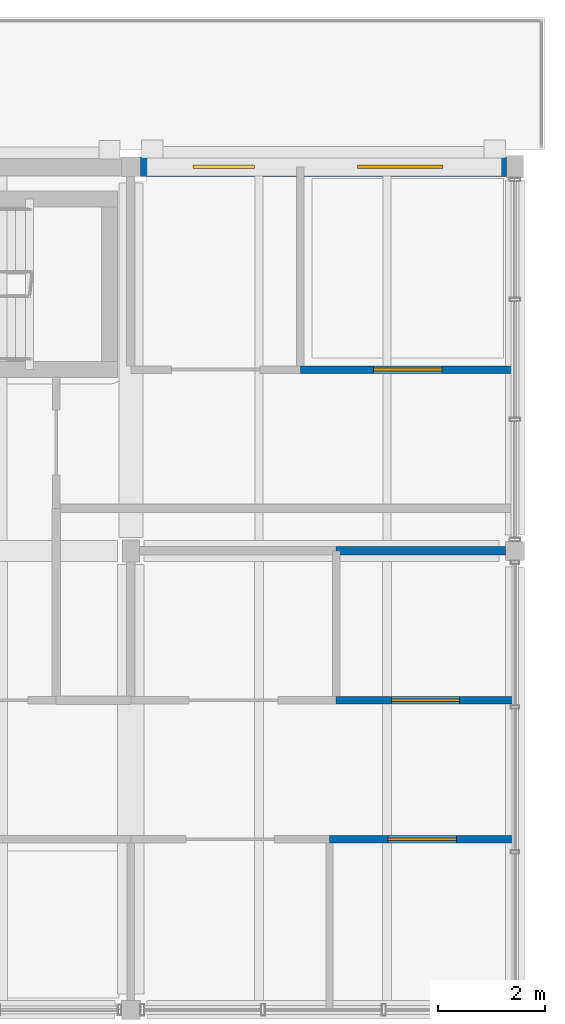
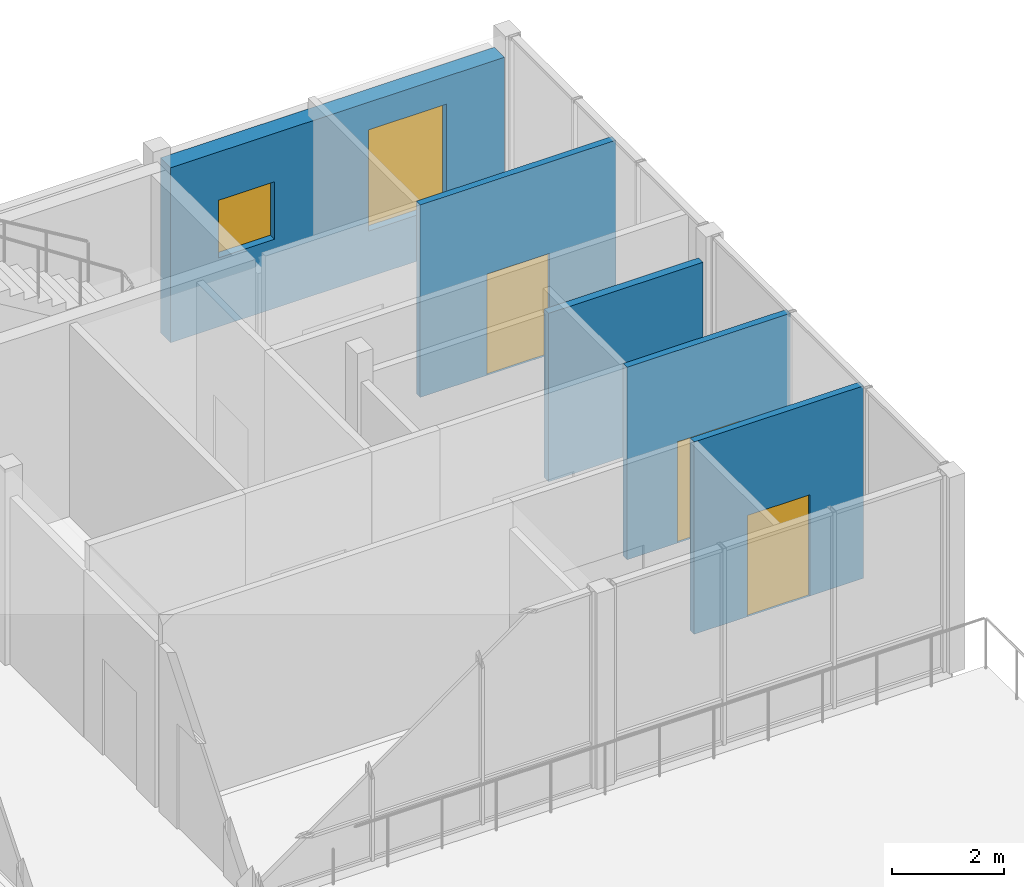
# One storey, part 123 of 146: 5 walls, 3 doors, 2 windows, 5 openings.
"""IFC4 building model written with IfcOpenShell, lengths in metres."""

from ifc_helpers import new_model, si_unit, direction, frame, frame_2d, origin, place, context, subcontext, project, spatial, rectangle, extrude, material, layer, layer_set, type_object, element, fill, save


model = new_model("IFC4")

# Units and contexts
model_context = context("Model", 3, precision=1e-05, world=origin(), true_north=direction((0.0, 1.0)))
body_context = subcontext(model_context, "Body", "Model", "MODEL_VIEW")
ifc_project = project(units=[si_unit("LENGTHUNIT", "METRE"), si_unit("AREAUNIT", "SQUARE_METRE"), si_unit("VOLUMEUNIT", "CUBIC_METRE"), si_unit("PLANEANGLEUNIT", "RADIAN"), si_unit("MASSUNIT", "GRAM", prefix="KILO")], contexts=[model_context])

# Site, building, storey
site_placement = place(None, origin())
site = spatial("IfcSite", under=ifc_project, at=site_placement, CompositionType="ELEMENT")
building_placement = place(site_placement, origin())
building = spatial("IfcBuilding", under=site, at=building_placement, Name="Hawrajan Terrace Health Centre", CompositionType="ELEMENT")
storey_placement = place(building_placement, frame((0.0, 0.0, 4.5)))
storey = spatial("IfcBuildingStorey", under=building, at=storey_placement, Name="L01", CompositionType="ELEMENT", Elevation=4.5)

# Wall, opening, door
ifc_material_1 = material(Name="Gypsum board on acoustic stud framing")
ifc_layer_1 = layer(ifc_material_1, 0.139892578125)
ifc_layer_set_1 = layer_set([ifc_layer_1], Name="Gypsum board on acoustic stud framing")
wall_type_1 = type_object("IfcWallType", Name="ClinicalAcousticWall_140", PredefinedType="PARTITIONING", material=ifc_layer_set_1)
wall_1_placement = place(storey_placement, frame((161.375, 48.800048828125, 0.0), z_axis=(0.0, 0.0, 1.0), x_axis=(1.0, 0.0, 0.0)))
wall_1 = element("IfcWall", 1, at=wall_1_placement, inside=storey, type_object=wall_type_1, Name="Interior wall IW-L01-0836", PredefinedType="PARTITIONING", context=body_context, shape_type="SweptSolid", body=[
    extrude(rectangle(XDim=4.02490234375, YDim=0.139892578125, at=frame_2d((2.012451171875, 0.0))), origin(), (0.0, 0.0, 1.0), 4.179931640625),
])
opening_1_placement = place(wall_1_placement, frame((1.37255859375, 0.0, 0.0)))
opening_1 = element("IfcOpeningElement", 2, at=opening_1_placement, cuts=wall_1, Name="Opening D-L01-429", PredefinedType="OPENING", context=body_context, shape_type="SweptSolid", body=[
    extrude(rectangle(XDim=1.280029296875, YDim=2.199951171875, at=frame_2d((0.64013671875, 1.10009765625))), frame((0.0, 0.079833984375, 0.0), z_axis=(0.0, -1.0, 0.0), x_axis=(1.0, 0.0, 0.0)), (0.0, 0.0, 1.0), 0.159912109375),
])
ifc_material_2 = material(Name="Hardwood acoustic clinical door leaf and frame", Category="wood")
door_type = type_object("IfcDoorType", Name="ExamSuiteDoor_1280x2200", OperationType="NOTDEFINED", PredefinedType="DOOR", material=ifc_material_2)
door_1_placement = place(opening_1_placement, origin())
door_1 = element("IfcDoor", 3, at=door_1_placement, inside=storey, type_object=door_type, Name="Interior door D-L01-429", OperationType="SINGLE_SWING_LEFT", OverallHeight=2.199951171875, OverallWidth=1.280029296875, PredefinedType="DOOR", context=body_context, shape_type="SweptSolid", body=[
    extrude(rectangle(XDim=1.280029296875, YDim=2.199951171875, at=frame_2d((0.64013671875, 1.10009765625))), frame((0.0, 0.02490234375, 0.0), z_axis=(0.0, -1.0, 0.0), x_axis=(1.0, 0.0, 0.0)), (0.0, 0.0, 1.0), 0.050048828125),
])
fill(opening_1, door_1)

wall_2_placement = place(storey_placement, frame((161.922119140625, 40.0, 0.0), z_axis=(0.0, 0.0, 1.0), x_axis=(1.0, 0.0, 0.0)))
wall_2 = element("IfcWall", 4, at=wall_2_placement, inside=storey, type_object=wall_type_1, Name="Interior wall IW-L01-0838", PredefinedType="PARTITIONING", context=body_context, shape_type="SweptSolid", body=[
    extrude(rectangle(XDim=3.477783203125, YDim=0.139892578125, at=frame_2d((1.73876953125, 0.0))), origin(), (0.0, 0.0, 1.0), 4.179931640625),
])
opening_2_placement = place(wall_2_placement, frame((1.09912109375, 0.0, 0.0)))
opening_2 = element("IfcOpeningElement", 5, at=opening_2_placement, cuts=wall_2, Name="Opening D-L01-425", PredefinedType="OPENING", context=body_context, shape_type="SweptSolid", body=[
    extrude(rectangle(XDim=1.280029296875, YDim=2.199951171875, at=frame_2d((0.64013671875, 1.10009765625))), frame((0.0, 0.079833984375, 0.0), z_axis=(0.0, -1.0, 0.0), x_axis=(1.0, 0.0, 0.0)), (0.0, 0.0, 1.0), 0.159912109375),
])
door_2_placement = place(opening_2_placement, origin())
door_2 = element("IfcDoor", 6, at=door_2_placement, inside=storey, type_object=door_type, Name="Interior door D-L01-425", OperationType="SINGLE_SWING_LEFT", OverallHeight=2.199951171875, OverallWidth=1.280029296875, PredefinedType="DOOR", context=body_context, shape_type="SweptSolid", body=[
    extrude(rectangle(XDim=1.280029296875, YDim=2.199951171875, at=frame_2d((0.64013671875, 1.10009765625))), frame((0.0, 0.02490234375, 0.0), z_axis=(0.0, -1.0, 0.0), x_axis=(1.0, 0.0, 0.0)), (0.0, 0.0, 1.0), 0.050048828125),
])
fill(opening_2, door_2)

wall_3_placement = place(storey_placement, frame((162.044921875, 42.60009765625, 0.0), z_axis=(0.0, 0.0, 1.0), x_axis=(1.0, 0.0, 0.0)))
wall_3 = element("IfcWall", 7, at=wall_3_placement, inside=storey, type_object=wall_type_1, Name="Interior wall IW-L01-0840", PredefinedType="PARTITIONING", context=body_context, shape_type="SweptSolid", body=[
    extrude(rectangle(XDim=3.35498046875, YDim=0.139892578125, at=frame_2d((1.677490234375, 0.0))), origin(), (0.0, 0.0, 1.0), 4.179931640625),
])
opening_3_placement = place(wall_3_placement, frame((1.03759765625, 0.0, 0.0)))
opening_3 = element("IfcOpeningElement", 8, at=opening_3_placement, cuts=wall_3, Name="Opening D-L01-427", PredefinedType="OPENING", context=body_context, shape_type="SweptSolid", body=[
    extrude(rectangle(XDim=1.280029296875, YDim=2.199951171875, at=frame_2d((0.64013671875, 1.10009765625))), frame((0.0, 0.079833984375, 0.0), z_axis=(0.0, -1.0, 0.0), x_axis=(1.0, 0.0, 0.0)), (0.0, 0.0, 1.0), 0.159912109375),
])
door_3_placement = place(opening_3_placement, origin())
door_3 = element("IfcDoor", 9, at=door_3_placement, inside=storey, type_object=door_type, Name="Interior door D-L01-427", OperationType="SINGLE_SWING_LEFT", OverallHeight=2.199951171875, OverallWidth=1.280029296875, PredefinedType="DOOR", context=body_context, shape_type="SweptSolid", body=[
    extrude(rectangle(XDim=1.280029296875, YDim=2.199951171875, at=frame_2d((0.64013671875, 1.10009765625))), frame((0.0, 0.02490234375, 0.0), z_axis=(0.0, -1.0, 0.0), x_axis=(1.0, 0.0, 0.0)), (0.0, 0.0, 1.0), 0.050048828125),
])
fill(opening_3, door_3)

# Wall, openings, windows
ifc_material_3 = material(Name="Precast concrete C40/50", Category="concrete")
ifc_layer_2 = layer(ifc_material_3, 0.360107421875)
ifc_layer_set_2 = layer_set([ifc_layer_2], Name="Precast concrete C40/50")
wall_type_2 = type_object("IfcWallType", Name="CoralPodiumWall_360", PredefinedType="SOLIDWALL", material=ifc_layer_set_2)
wall_4_placement = place(storey_placement, frame((158.3798828125, 52.60009765625, 0.0), z_axis=(0.0, 0.0, 1.0), x_axis=(1.0, 0.0, 0.0)))
wall_4 = element("IfcWall", 10, at=wall_4_placement, inside=storey, type_object=wall_type_2, Name="Exterior wall EW-L01-H20-06-1", PredefinedType="SOLIDWALL", context=body_context, shape_type="SweptSolid", body=[
    extrude(rectangle(XDim=6.860107421875, YDim=0.360107421875, at=frame_2d((3.43017578125, 0.0))), origin(), (0.0, 0.0, 1.0), 3.800048828125),
])
opening_4_placement = place(wall_4_placement, frame((0.982666015625, 0.0, 1.5)))
opening_4 = element("IfcOpeningElement", 11, at=opening_4_placement, cuts=wall_4, Name="Opening W-L01-108", PredefinedType="OPENING", context=body_context, shape_type="SweptSolid", body=[
    extrude(rectangle(XDim=1.14990234375, YDim=1.25, at=frame_2d((0.574951171875, 0.625))), frame((0.0, 0.18994140625, 0.0), z_axis=(0.0, -1.0, 0.0), x_axis=(1.0, 0.0, 0.0)), (0.0, 0.0, 1.0), 0.380126953125),
])
opening_5_placement = place(wall_4_placement, frame((4.067626953125, 0.0, 1.0)))
opening_5 = element("IfcOpeningElement", 12, at=opening_5_placement, cuts=wall_4, Name="Opening W-L01-109", PredefinedType="OPENING", context=body_context, shape_type="SweptSolid", body=[
    extrude(rectangle(XDim=1.60009765625, YDim=2.199951171875, at=frame_2d((0.800048828125, 1.10009765625))), frame((0.0, 0.18994140625, 0.0), z_axis=(0.0, -1.0, 0.0), x_axis=(1.0, 0.0, 0.0)), (0.0, 0.0, 1.0), 0.380126953125),
])
ifc_material_4 = material(Name="Anodized bronze frame with double low-E glazing", Category="glass")
window_type_1 = type_object("IfcWindowType", Name="FacadeWindow_1150x1250", PartitioningType="SINGLE_PANEL", PredefinedType="WINDOW", material=ifc_material_4)
window_1_placement = place(opening_4_placement, origin())
window_1 = element("IfcWindow", 13, at=window_1_placement, inside=storey, type_object=window_type_1, Name="Window W-L01-108", OverallHeight=1.25, OverallWidth=1.14990234375, PartitioningType="SINGLE_PANEL", PredefinedType="WINDOW", context=body_context, shape_type="SweptSolid", body=[
    extrude(rectangle(XDim=1.14990234375, YDim=1.25, at=frame_2d((0.574951171875, 0.625))), frame((0.0, 0.030029296875, 0.0), z_axis=(0.0, -1.0, 0.0), x_axis=(1.0, 0.0, 0.0)), (0.0, 0.0, 1.0), 0.06005859375),
])
fill(opening_4, window_1)
window_type_2 = type_object("IfcWindowType", Name="FacadeWindow_1600x2200", PartitioningType="DOUBLE_PANEL_VERTICAL", PredefinedType="WINDOW", material=ifc_material_4)
window_2_placement = place(opening_5_placement, origin())
window_2 = element("IfcWindow", 14, at=window_2_placement, inside=storey, type_object=window_type_2, Name="Window W-L01-109", OverallHeight=2.199951171875, OverallWidth=1.60009765625, PartitioningType="DOUBLE_PANEL_VERTICAL", PredefinedType="WINDOW", context=body_context, shape_type="SweptSolid", body=[
    extrude(rectangle(XDim=1.60009765625, YDim=2.199951171875, at=frame_2d((0.800048828125, 1.10009765625))), frame((0.0, 0.030029296875, 0.0), z_axis=(0.0, -1.0, 0.0), x_axis=(1.0, 0.0, 0.0)), (0.0, 0.0, 1.0), 0.06005859375),
])
fill(opening_5, window_2)

# Wall
ifc_layer_3 = layer(ifc_material_1, 0.159912109375)
ifc_layer_set_3 = layer_set([ifc_layer_3], Name="Gypsum board on acoustic stud framing")
wall_type_3 = type_object("IfcWallType", Name="CorridorFireWall_160", PredefinedType="PARTITIONING", material=ifc_layer_set_3)
wall_5_placement = place(storey_placement, frame((165.219970703125, 45.39990234375, 0.0), z_axis=(0.0, 0.0, 1.0), x_axis=(-1.0, 0.0, 0.0)))
element("IfcWall", 15, at=wall_5_placement, inside=storey, type_object=wall_type_3, Name="Interior wall IW-L01-0977", PredefinedType="PARTITIONING", context=body_context, shape_type="SweptSolid", body=[
    extrude(rectangle(XDim=3.175048828125, YDim=0.159912109375, at=frame_2d((1.58740234375, 0.0))), origin(), (0.0, 0.0, 1.0), 3.659912109375),
])

save(model, "model.ifc")
